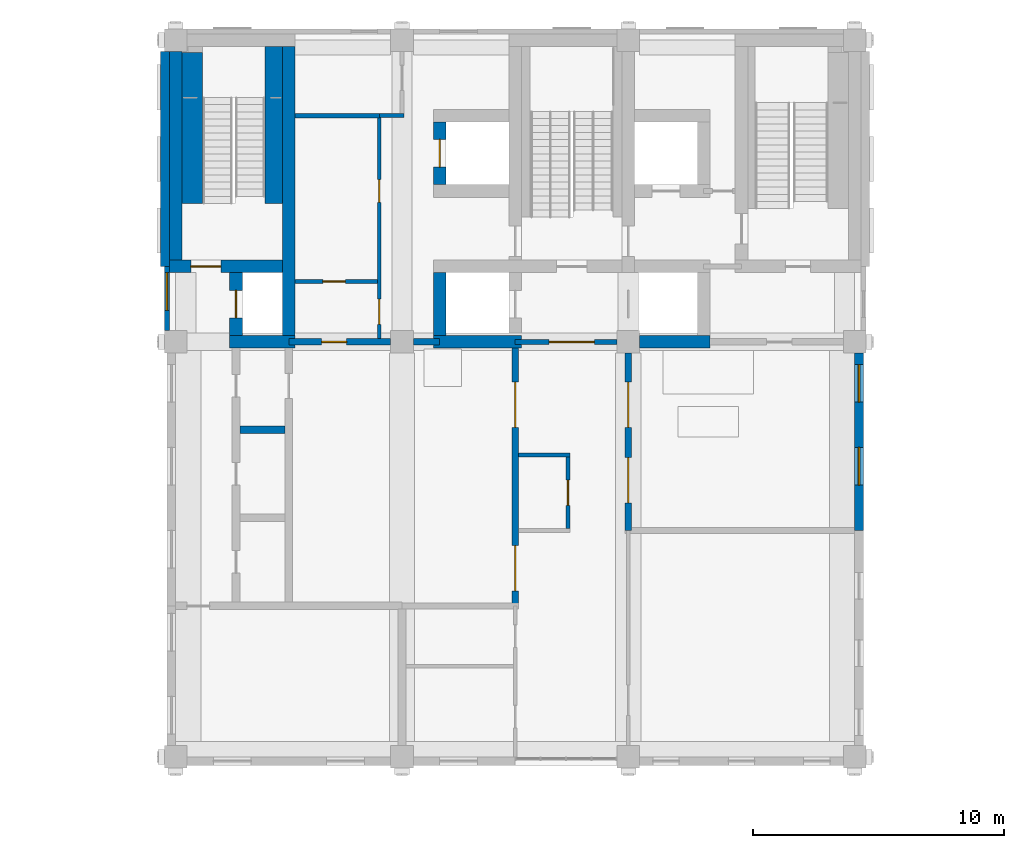
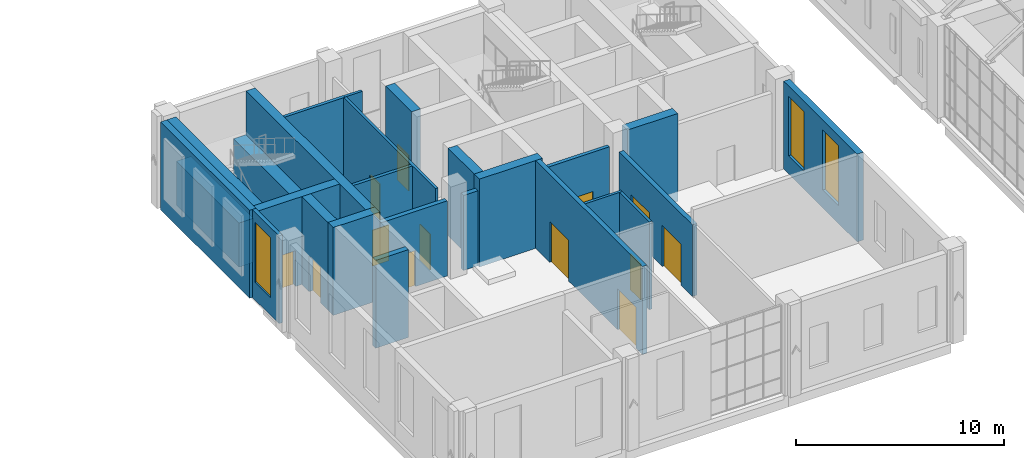
# One storey, part 28 of 39: 26 walls, 13 doors, 3 windows, 16 openings.
"""IFC4 building model written with IfcOpenShell, lengths in metres."""

from ifc_helpers import new_model, si_unit, direction, frame, frame_2d, origin, place, context, subcontext, project, spatial, rectangle, extrude, material, layer, layer_set, type_object, element, fill, save


model = new_model("IFC4")

# Units and contexts
model_context = context("Model", 3, precision=1e-05, world=origin(), true_north=direction((0.0, 1.0)))
body_context = subcontext(model_context, "Body", "Model", "MODEL_VIEW")
ifc_project = project(units=[si_unit("LENGTHUNIT", "METRE"), si_unit("AREAUNIT", "SQUARE_METRE"), si_unit("VOLUMEUNIT", "CUBIC_METRE"), si_unit("PLANEANGLEUNIT", "RADIAN"), si_unit("MASSUNIT", "GRAM", prefix="KILO")], contexts=[model_context])

# Site, building, storey
site_placement = place(None, origin())
site = spatial("IfcSite", under=ifc_project, at=site_placement, CompositionType="ELEMENT")
building_placement = place(site_placement, origin())
building = spatial("IfcBuilding", under=site, at=building_placement, Name="Aurelan Courthouse", CompositionType="ELEMENT")
storey_placement = place(building_placement, frame((0.0, 0.0, 28.199951171875)))
storey = spatial("IfcBuildingStorey", under=building, at=storey_placement, Name="L05", CompositionType="ELEMENT", Elevation=28.199951171875)

# Wall, opening, door
ifc_material_1 = material(Name="Gypsum board on metal studs")
ifc_layer_1 = layer(ifc_material_1, 0.175048828125)
ifc_layer_set_1 = layer_set([ifc_layer_1], Name="Gypsum board on metal studs")
wall_type_1 = type_object("IfcWallType", Name="Chambers acoustic partition 175 NOT RATED", PredefinedType="PARTITIONING", material=ifc_layer_set_1)
wall_1_placement = place(storey_placement, frame((40.75, 56.39990234375, 0.0), z_axis=(0.0, 0.0, 1.0), x_axis=(1.0, 0.0, 0.0)))
wall_1 = element("IfcWall", 1, at=wall_1_placement, inside=storey, type_object=wall_type_1, Name="Chambers acoustic partition L05-032", PredefinedType="PARTITIONING", context=body_context, shape_type="SweptSolid", body=[
    extrude(rectangle(XDim=3.27490234375, YDim=0.175048828125, at=frame_2d((1.637451171875, 0.0))), origin(), (0.0, 0.0, 1.0), 5.150146484375),
])
opening_1_placement = place(wall_1_placement, frame((2.0, 0.0, 0.0), z_axis=(0.0, 0.0, 1.0), x_axis=(-1.0, 0.0, 0.0)))
opening_1 = element("IfcOpeningElement", 2, at=opening_1_placement, cuts=wall_1, Name="Opening D-L05-028", PredefinedType="OPENING", context=body_context, shape_type="SweptSolid", body=[
    extrude(rectangle(XDim=0.89990234375, YDim=2.10009765625, at=frame_2d((0.449951171875, 1.050048828125))), frame((0.0, 0.097412109375, 0.0), z_axis=(0.0, -1.0, 0.0), x_axis=(1.0, 0.0, 0.0)), (0.0, 0.0, 1.0), 0.195068359375),
])
ifc_material_2 = material(Name="Timber", Category="wood")
door_type_1 = type_object("IfcDoorType", Name="Single door 900 x 2100 NOT RATED", OperationType="SINGLE_SWING_LEFT", PredefinedType="DOOR", material=ifc_material_2)
door_1_placement = place(opening_1_placement, origin())
door_1 = element("IfcDoor", 3, at=door_1_placement, inside=storey, type_object=door_type_1, Name="Single door D-L05-028", OperationType="SINGLE_SWING_RIGHT", OverallHeight=2.10009765625, OverallWidth=0.89990234375, PredefinedType="DOOR", context=body_context, shape_type="SweptSolid", body=[
    extrude(rectangle(XDim=0.89990234375, YDim=2.10009765625, at=frame_2d((0.449951171875, 1.050048828125))), frame((0.0, 0.02490234375, 0.0), z_axis=(0.0, -1.0, 0.0), x_axis=(1.0, 0.0, 0.0)), (0.0, 0.0, 1.0), 0.050048828125),
])
fill(opening_1, door_1)

# Walls
wall_2_placement = place(storey_placement, frame((40.75, 63.0, 0.0), z_axis=(0.0, 0.0, 1.0), x_axis=(1.0, 0.0, 0.0)))
element("IfcWall", 4, at=wall_2_placement, inside=storey, type_object=wall_type_1, Name="Chambers acoustic partition L05-037", PredefinedType="PARTITIONING", context=body_context, shape_type="SweptSolid", body=[
    extrude(rectangle(XDim=3.35009765625, YDim=0.175048828125, at=frame_2d((1.675048828125, 0.0))), origin(), (0.0, 0.0, 1.0), 5.150146484375),
])
ifc_layer_2 = layer(ifc_material_1, 0.14990234375)
ifc_layer_set_2 = layer_set([ifc_layer_2], Name="Gypsum board on metal studs")
wall_type_2 = type_object("IfcWallType", Name="Corridor partition 150 EI 60", PredefinedType="PARTITIONING", material=ifc_layer_set_2)
wall_3_placement = place(storey_placement, frame((49.625, 49.5, 0.0), z_axis=(0.0, 0.0, 1.0), x_axis=(1.0, 0.0, 0.0)))
element("IfcWall", 5, at=wall_3_placement, inside=storey, type_object=wall_type_2, Name="Corridor partition L05-020", PredefinedType="PARTITIONING", context=body_context, shape_type="SweptSolid", body=[
    extrude(rectangle(XDim=2.050048828125, YDim=0.14990234375, at=frame_2d((1.02490234375, 0.0))), origin(), (0.0, 0.0, 1.0), 5.150146484375),
])
wall_4_placement = place(storey_placement, frame((44.10009765625, 63.0, 0.0), z_axis=(0.0, 0.0, 1.0), x_axis=(1.0, 0.0, 0.0)))
element("IfcWall", 6, at=wall_4_placement, inside=storey, type_object=wall_type_2, Name="Corridor partition L05-038", PredefinedType="PARTITIONING", context=body_context, shape_type="SweptSolid", body=[
    extrude(rectangle(XDim=0.974853515625, YDim=0.14990234375, at=frame_2d((0.4873046875, 0.0))), origin(), (0.0, 0.0, 1.0), 5.150146484375),
])

# Wall, openings, doors
wall_5_placement = place(storey_placement, frame((44.10009765625, 54.125, 0.0), z_axis=(0.0, 0.0, 1.0), x_axis=(0.0, 1.0, 0.0)))
wall_5 = element("IfcWall", 7, at=wall_5_placement, inside=storey, type_object=wall_type_2, Name="Corridor partition L05-052", PredefinedType="PARTITIONING", context=body_context, shape_type="SweptSolid", body=[
    extrude(rectangle(XDim=8.800048828125, YDim=0.14990234375, at=frame_2d((4.39990234375, 0.0))), origin(), (0.0, 0.0, 1.0), 5.150146484375),
])
opening_2_placement = place(wall_5_placement, frame((0.574951171875, 0.0, 0.0)))
opening_2 = element("IfcOpeningElement", 8, at=opening_2_placement, cuts=wall_5, Name="Opening D-L05-026", PredefinedType="OPENING", context=body_context, shape_type="SweptSolid", body=[
    extrude(rectangle(XDim=1.0, YDim=2.10009765625, at=frame_2d((0.5, 1.050048828125))), frame((0.0, 0.0849609375, 0.0), z_axis=(0.0, -1.0, 0.0), x_axis=(1.0, 0.0, 0.0)), (0.0, 0.0, 1.0), 0.169921875),
])
opening_3_placement = place(wall_5_placement, frame((5.425048828125, 0.0, 0.0)))
opening_3 = element("IfcOpeningElement", 9, at=opening_3_placement, cuts=wall_5, Name="Opening D-L05-027", PredefinedType="OPENING", context=body_context, shape_type="SweptSolid", body=[
    extrude(rectangle(XDim=0.89990234375, YDim=2.10009765625, at=frame_2d((0.449951171875, 1.050048828125))), frame((0.0, 0.0849609375, 0.0), z_axis=(0.0, -1.0, 0.0), x_axis=(1.0, 0.0, 0.0)), (0.0, 0.0, 1.0), 0.169921875),
])
ifc_material_3 = material(Name="Steel", Category="steel")
door_type_2 = type_object("IfcDoorType", Name="Single door 1000 x 2100 FD60", OperationType="SINGLE_SWING_LEFT", PredefinedType="DOOR", material=ifc_material_3)
door_2_placement = place(opening_2_placement, origin())
door_2 = element("IfcDoor", 10, at=door_2_placement, inside=storey, type_object=door_type_2, Name="Single door D-L05-026", OperationType="SINGLE_SWING_LEFT", OverallHeight=2.10009765625, OverallWidth=1.0, PredefinedType="DOOR", context=body_context, shape_type="SweptSolid", body=[
    extrude(rectangle(XDim=1.0, YDim=2.10009765625, at=frame_2d((0.5, 1.050048828125))), frame((0.0, 0.02490234375, 0.0), z_axis=(0.0, -1.0, 0.0), x_axis=(1.0, 0.0, 0.0)), (0.0, 0.0, 1.0), 0.050048828125),
])
fill(opening_2, door_2)
door_type_3 = type_object("IfcDoorType", Name="Single door 900 x 2100 FD60", OperationType="SINGLE_SWING_LEFT", PredefinedType="DOOR", material=ifc_material_3)
door_3_placement = place(opening_3_placement, origin())
door_3 = element("IfcDoor", 11, at=door_3_placement, inside=storey, type_object=door_type_3, Name="Single door D-L05-027", OperationType="SINGLE_SWING_RIGHT", OverallHeight=2.10009765625, OverallWidth=0.89990234375, PredefinedType="DOOR", context=body_context, shape_type="SweptSolid", body=[
    extrude(rectangle(XDim=0.89990234375, YDim=2.10009765625, at=frame_2d((0.449951171875, 1.050048828125))), frame((0.0, 0.02490234375, 0.0), z_axis=(0.0, -1.0, 0.0), x_axis=(1.0, 0.0, 0.0)), (0.0, 0.0, 1.0), 0.050048828125),
])
fill(opening_3, door_3)

# Wall, opening, door
wall_6_placement = place(storey_placement, frame((51.60009765625, 46.574951171875, 0.0), z_axis=(0.0, 0.0, 1.0), x_axis=(0.0, 1.0, 0.0)))
wall_6 = element("IfcWall", 12, at=wall_6_placement, inside=storey, type_object=wall_type_2, Name="Corridor partition L05-057", PredefinedType="PARTITIONING", context=body_context, shape_type="SweptSolid", body=[
    extrude(rectangle(XDim=2.85009765625, YDim=0.14990234375, at=frame_2d((1.425048828125, 0.0))), origin(), (0.0, 0.0, 1.0), 5.150146484375),
])
opening_4_placement = place(wall_6_placement, frame((0.925048828125, 0.0, 0.0)))
opening_4 = element("IfcOpeningElement", 13, at=opening_4_placement, cuts=wall_6, Name="Opening D-L05-013", PredefinedType="OPENING", context=body_context, shape_type="SweptSolid", body=[
    extrude(rectangle(XDim=1.0, YDim=2.10009765625, at=frame_2d((0.5, 1.050048828125))), frame((0.0, 0.0849609375, 0.0), z_axis=(0.0, -1.0, 0.0), x_axis=(1.0, 0.0, 0.0)), (0.0, 0.0, 1.0), 0.169921875),
])
door_4_placement = place(opening_4_placement, origin())
door_4 = element("IfcDoor", 14, at=door_4_placement, inside=storey, type_object=door_type_2, Name="Single door D-L05-013", OperationType="SINGLE_SWING_RIGHT", OverallHeight=2.10009765625, OverallWidth=1.0, PredefinedType="DOOR", context=body_context, shape_type="SweptSolid", body=[
    extrude(rectangle(XDim=1.0, YDim=2.10009765625, at=frame_2d((0.5, 1.050048828125))), frame((0.0, 0.02490234375, 0.0), z_axis=(0.0, -1.0, 0.0), x_axis=(1.0, 0.0, 0.0)), (0.0, 0.0, 1.0), 0.050048828125),
])
fill(opening_4, door_4)

# Wall, opening, window
ifc_material_4 = material(Name="Limestone cladding", Category="masonry")
ifc_layer_3 = layer(ifc_material_4, 0.054931640625, Name="Facing")
ifc_material_5 = material(Name="Ventilated cavity")
ifc_layer_4 = layer(ifc_material_5, 0.02490234375, ventilated=True, Name="Ventilated cavity")
ifc_material_6 = material(Name="Mineral wool insulation")
ifc_layer_5 = layer(ifc_material_6, 0.030029296875, Name="Insulation")
ifc_material_7 = material(Name="Concrete C30", Category="concrete")
ifc_layer_6 = layer(ifc_material_7, 0.090087890625, Name="Structure")
ifc_layer_set_3 = layer_set([ifc_layer_3, ifc_layer_4, ifc_layer_5, ifc_layer_6], Name="Concrete C30")
wall_type_3 = type_object("IfcWallType", Name="Courtroom Block stone-faced wall 200", PredefinedType="SOLIDWALL", material=ifc_layer_set_3)
wall_7_placement = place(storey_placement, frame((35.64990234375, 54.449951171875, 0.0), z_axis=(0.0, 0.0, 1.0), x_axis=(0.0, 1.0, 0.0)))
wall_7 = element("IfcWall", 15, at=wall_7_placement, inside=storey, type_object=wall_type_3, Name="Facade wall FW-V2-L05-013", PredefinedType="SOLIDWALL", context=body_context, shape_type="SweptSolid", body=[
    extrude(rectangle(XDim=2.550048828125, YDim=0.199951171875, at=frame_2d((1.27490234375, 0.0))), origin(), (0.0, 0.0, 1.0), 5.150146484375),
])
opening_5_placement = place(wall_7_placement, frame((0.800048828125, 0.0, 1.050048828125)))
opening_5 = element("IfcOpeningElement", 16, at=opening_5_placement, cuts=wall_7, Name="Opening WN-V2-L05-020", PredefinedType="OPENING", context=body_context, shape_type="SweptSolid", body=[
    extrude(rectangle(XDim=1.5, YDim=3.5, at=frame_2d((0.75, 1.75))), frame((0.0, 0.10986328125, 0.0), z_axis=(0.0, -1.0, 0.0), x_axis=(1.0, 0.0, 0.0)), (0.0, 0.0, 1.0), 0.219970703125),
])
ifc_material_8 = material(Name="Bronze-finished aluminium and glass", Category="aluminium")
window_type = type_object("IfcWindowType", Name="Courtroom Block glazed slot 1500 x 3500, sill 1050", PartitioningType="SINGLE_PANEL", PredefinedType="WINDOW", material=ifc_material_8)
window_1_placement = place(opening_5_placement, origin())
window_1 = element("IfcWindow", 17, at=window_1_placement, inside=storey, type_object=window_type, Name="Glazed slot WN-V2-L05-020", OverallHeight=3.5, OverallWidth=1.5, PartitioningType="SINGLE_PANEL", PredefinedType="WINDOW", context=body_context, shape_type="SweptSolid", body=[
    extrude(rectangle(XDim=1.5, YDim=3.5, at=frame_2d((0.75, 1.75))), frame((0.0, 0.030029296875, 0.0), z_axis=(0.0, -1.0, 0.0), x_axis=(1.0, 0.0, 0.0)), (0.0, 0.0, 1.0), 0.06005859375),
])
fill(opening_5, window_1)

# Wall, openings, windows
ifc_layer_7 = layer(ifc_material_4, 0.10009765625, Name="Facing")
ifc_layer_8 = layer(ifc_material_5, 0.02490234375, ventilated=True, Name="Ventilated cavity")
ifc_layer_9 = layer(ifc_material_6, 0.050048828125, Name="Insulation")
ifc_layer_10 = layer(ifc_material_7, 0.175048828125, Name="Structure")
ifc_layer_set_4 = layer_set([ifc_layer_7, ifc_layer_8, ifc_layer_9, ifc_layer_10], Name="Concrete C30")
wall_type_4 = type_object("IfcWallType", Name="Courtroom Block stone-faced wall 350", PredefinedType="SOLIDWALL", material=ifc_layer_set_4)
wall_8_placement = place(storey_placement, frame((63.175048828125, 46.5, 0.0), z_axis=(0.0, 0.0, 1.0), x_axis=(0.0, 1.0, 0.0)))
wall_8 = element("IfcWall", 18, at=wall_8_placement, inside=storey, type_object=wall_type_4, Name="Facade wall FW-V2-L05-008", PredefinedType="SOLIDWALL", context=body_context, shape_type="SweptSolid", body=[
    extrude(rectangle(XDim=7.050048828125, YDim=0.35009765625, at=frame_2d((3.52490234375, 0.0))), origin(), (0.0, 0.0, 1.0), 5.150146484375),
])
opening_6_placement = place(wall_8_placement, frame((1.800048828125, 0.0, 1.050048828125)))
opening_6 = element("IfcOpeningElement", 19, at=opening_6_placement, cuts=wall_8, Name="Opening WN-V2-L05-012", PredefinedType="OPENING", context=body_context, shape_type="SweptSolid", body=[
    extrude(rectangle(XDim=1.5, YDim=3.5, at=frame_2d((0.75, 1.75))), frame((0.0, 0.18505859375, 0.0), z_axis=(0.0, -1.0, 0.0), x_axis=(1.0, 0.0, 0.0)), (0.0, 0.0, 1.0), 0.3701171875),
])
opening_7_placement = place(wall_8_placement, frame((5.10009765625, 0.0, 1.050048828125)))
opening_7 = element("IfcOpeningElement", 20, at=opening_7_placement, cuts=wall_8, Name="Opening WN-V2-L05-013", PredefinedType="OPENING", context=body_context, shape_type="SweptSolid", body=[
    extrude(rectangle(XDim=1.5, YDim=3.5, at=frame_2d((0.75, 1.75))), frame((0.0, 0.18505859375, 0.0), z_axis=(0.0, -1.0, 0.0), x_axis=(1.0, 0.0, 0.0)), (0.0, 0.0, 1.0), 0.3701171875),
])
window_2_placement = place(opening_6_placement, origin())
window_2 = element("IfcWindow", 21, at=window_2_placement, inside=storey, type_object=window_type, Name="Glazed slot WN-V2-L05-012", OverallHeight=3.5, OverallWidth=1.5, PartitioningType="SINGLE_PANEL", PredefinedType="WINDOW", context=body_context, shape_type="SweptSolid", body=[
    extrude(rectangle(XDim=1.5, YDim=3.5, at=frame_2d((0.75, 1.75))), frame((0.0, 0.030029296875, 0.0), z_axis=(0.0, -1.0, 0.0), x_axis=(1.0, 0.0, 0.0)), (0.0, 0.0, 1.0), 0.06005859375),
])
fill(opening_6, window_2)
window_3_placement = place(opening_7_placement, origin())
window_3 = element("IfcWindow", 22, at=window_3_placement, inside=storey, type_object=window_type, Name="Glazed slot WN-V2-L05-013", OverallHeight=3.5, OverallWidth=1.5, PartitioningType="SINGLE_PANEL", PredefinedType="WINDOW", context=body_context, shape_type="SweptSolid", body=[
    extrude(rectangle(XDim=1.5, YDim=3.5, at=frame_2d((0.75, 1.75))), frame((0.0, 0.030029296875, 0.0), z_axis=(0.0, -1.0, 0.0), x_axis=(1.0, 0.0, 0.0)), (0.0, 0.0, 1.0), 0.06005859375),
])
fill(opening_7, window_3)

# Wall
wall_9_placement = place(storey_placement, frame((35.574951171875, 57.0, 0.0), z_axis=(0.0, 0.0, 1.0), x_axis=(0.0, 1.0, 0.0)))
element("IfcWall", 23, at=wall_9_placement, inside=storey, type_object=wall_type_4, Name="Facade wall FW-V2-L05-014", PredefinedType="SOLIDWALL", context=body_context, shape_type="SweptSolid", body=[
    extrude(rectangle(XDim=8.550048828125, YDim=0.35009765625, at=frame_2d((4.27490234375, 0.0))), origin(), (0.0, 0.0, 1.0), 5.150146484375),
])

# Wall, opening, door
ifc_material_9 = material(Name="Masonry block", Category="masonry")
ifc_layer_11 = layer(ifc_material_9, 0.25)
ifc_layer_set_5 = layer_set([ifc_layer_11], Name="Masonry block")
wall_type_5 = type_object("IfcWallType", Name="Courtroom wall 250 EI 60", PredefinedType="PARTITIONING", material=ifc_layer_set_5)
wall_10_placement = place(storey_placement, frame((40.5, 54.0, 0.0), z_axis=(0.0, 0.0, 1.0), x_axis=(1.0, 0.0, 0.0)))
wall_10 = element("IfcWall", 24, at=wall_10_placement, inside=storey, type_object=wall_type_5, Name="Courtroom wall L05-022", PredefinedType="PARTITIONING", context=body_context, shape_type="SweptSolid", body=[
    extrude(rectangle(XDim=4.050048828125, YDim=0.25, at=frame_2d((2.02490234375, 0.0))), origin(), (0.0, 0.0, 1.0), 4.400146484375),
])
opening_8_placement = place(wall_10_placement, frame((2.300048828125, 0.0, 0.0), z_axis=(0.0, 0.0, 1.0), x_axis=(-1.0, 0.0, 0.0)))
opening_8 = element("IfcOpeningElement", 25, at=opening_8_placement, cuts=wall_10, Name="Opening D-L05-030", PredefinedType="OPENING", context=body_context, shape_type="SweptSolid", body=[
    extrude(rectangle(XDim=1.0, YDim=2.10009765625, at=frame_2d((0.5, 1.050048828125))), frame((0.0, 0.135009765625, 0.0), z_axis=(0.0, -1.0, 0.0), x_axis=(1.0, 0.0, 0.0)), (0.0, 0.0, 1.0), 0.27001953125),
])
door_type_4 = type_object("IfcDoorType", Name="Single door 1000 x 2100 FD30", OperationType="SINGLE_SWING_LEFT", PredefinedType="DOOR", material=ifc_material_3)
door_5_placement = place(opening_8_placement, origin())
door_5 = element("IfcDoor", 26, at=door_5_placement, inside=storey, type_object=door_type_4, Name="Single door D-L05-030", OperationType="SINGLE_SWING_RIGHT", OverallHeight=2.10009765625, OverallWidth=1.0, PredefinedType="DOOR", context=body_context, shape_type="SweptSolid", body=[
    extrude(rectangle(XDim=1.0, YDim=2.10009765625, at=frame_2d((0.5, 1.050048828125))), frame((0.0, 0.02490234375, 0.0), z_axis=(0.0, -1.0, 0.0), x_axis=(1.0, 0.0, 0.0)), (0.0, 0.0, 1.0), 0.050048828125),
])
fill(opening_8, door_5)

# Wall
wall_11_placement = place(storey_placement, frame((45.449951171875, 54.0, 0.0), z_axis=(0.0, 0.0, 1.0), x_axis=(1.0, 0.0, 0.0)))
element("IfcWall", 27, at=wall_11_placement, inside=storey, type_object=wall_type_5, Name="Courtroom wall L05-023", PredefinedType="PARTITIONING", context=body_context, shape_type="SweptSolid", body=[
    extrude(rectangle(XDim=1.050048828125, YDim=0.25, at=frame_2d((0.52490234375, 0.0))), origin(), (0.0, 0.0, 1.0), 4.400146484375),
])

# Wall, openings, doors
wall_12_placement = place(storey_placement, frame((49.5, 43.5, 0.0), z_axis=(0.0, 0.0, 1.0), x_axis=(0.0, 1.0, 0.0)))
wall_12 = element("IfcWall", 28, at=wall_12_placement, inside=storey, type_object=wall_type_5, Name="Courtroom wall L05-056", PredefinedType="PARTITIONING", context=body_context, shape_type="SweptSolid", body=[
    extrude(rectangle(XDim=10.5, YDim=0.25, at=frame_2d((5.25, 0.0))), origin(), (0.0, 0.0, 1.0), 5.150146484375),
])
opening_9_placement = place(wall_12_placement, frame((0.60009765625, 0.0, 0.0)))
opening_9 = element("IfcOpeningElement", 29, at=opening_9_placement, cuts=wall_12, Name="Opening D-L05-014", PredefinedType="OPENING", context=body_context, shape_type="SweptSolid", body=[
    extrude(rectangle(XDim=1.800048828125, YDim=2.39990234375, at=frame_2d((0.89990234375, 1.199951171875))), frame((0.0, 0.135009765625, 0.0), z_axis=(0.0, -1.0, 0.0), x_axis=(1.0, 0.0, 0.0)), (0.0, 0.0, 1.0), 0.27001953125),
])
opening_10_placement = place(wall_12_placement, frame((7.10009765625, 0.0, 0.0)))
opening_10 = element("IfcOpeningElement", 30, at=opening_10_placement, cuts=wall_12, Name="Opening D-L05-015", PredefinedType="OPENING", context=body_context, shape_type="SweptSolid", body=[
    extrude(rectangle(XDim=1.800048828125, YDim=2.39990234375, at=frame_2d((0.89990234375, 1.199951171875))), frame((0.0, 0.135009765625, 0.0), z_axis=(0.0, -1.0, 0.0), x_axis=(1.0, 0.0, 0.0)), (0.0, 0.0, 1.0), 0.27001953125),
])
door_type_5 = type_object("IfcDoorType", Name="Double door 1800 x 2400 FD30", OperationType="DOUBLE_DOOR_SINGLE_SWING", PredefinedType="DOOR", material=ifc_material_3)
door_6_placement = place(opening_9_placement, origin())
door_6 = element("IfcDoor", 31, at=door_6_placement, inside=storey, type_object=door_type_5, Name="Double door D-L05-014", OperationType="DOUBLE_DOOR_SINGLE_SWING", OverallHeight=2.39990234375, OverallWidth=1.800048828125, PredefinedType="DOOR", context=body_context, shape_type="SweptSolid", body=[
    extrude(rectangle(XDim=1.800048828125, YDim=2.39990234375, at=frame_2d((0.89990234375, 1.199951171875))), frame((0.0, 0.02490234375, 0.0), z_axis=(0.0, -1.0, 0.0), x_axis=(1.0, 0.0, 0.0)), (0.0, 0.0, 1.0), 0.050048828125),
])
fill(opening_9, door_6)
door_7_placement = place(opening_10_placement, origin())
door_7 = element("IfcDoor", 32, at=door_7_placement, inside=storey, type_object=door_type_5, Name="Double door D-L05-015", OperationType="DOUBLE_DOOR_SINGLE_SWING", OverallHeight=2.39990234375, OverallWidth=1.800048828125, PredefinedType="DOOR", context=body_context, shape_type="SweptSolid", body=[
    extrude(rectangle(XDim=1.800048828125, YDim=2.39990234375, at=frame_2d((0.89990234375, 1.199951171875))), frame((0.0, 0.02490234375, 0.0), z_axis=(0.0, -1.0, 0.0), x_axis=(1.0, 0.0, 0.0)), (0.0, 0.0, 1.0), 0.050048828125),
])
fill(opening_10, door_7)

wall_13_placement = place(storey_placement, frame((54.0, 46.5, 0.0), z_axis=(0.0, 0.0, 1.0), x_axis=(0.0, 1.0, 0.0)))
wall_13 = element("IfcWall", 33, at=wall_13_placement, inside=storey, type_object=wall_type_5, Name="Courtroom wall L05-059", PredefinedType="PARTITIONING", context=body_context, shape_type="SweptSolid", body=[
    extrude(rectangle(XDim=7.050048828125, YDim=0.25, at=frame_2d((3.52490234375, 0.0))), origin(), (0.0, 0.0, 1.0), 4.199951171875),
])
opening_11_placement = place(wall_13_placement, frame((2.900146484375, 0.0, 0.0), z_axis=(0.0, 0.0, 1.0), x_axis=(-1.0, 0.0, 0.0)))
opening_11 = element("IfcOpeningElement", 34, at=opening_11_placement, cuts=wall_13, Name="Opening D-L05-024", PredefinedType="OPENING", context=body_context, shape_type="SweptSolid", body=[
    extrude(rectangle(XDim=1.800048828125, YDim=2.39990234375, at=frame_2d((0.89990234375, 1.199951171875))), frame((0.0, 0.135009765625, 0.0), z_axis=(0.0, -1.0, 0.0), x_axis=(1.0, 0.0, 0.0)), (0.0, 0.0, 1.0), 0.27001953125),
])
opening_12_placement = place(wall_13_placement, frame((5.900146484375, 0.0, 0.0), z_axis=(0.0, 0.0, 1.0), x_axis=(-1.0, 0.0, 0.0)))
opening_12 = element("IfcOpeningElement", 35, at=opening_12_placement, cuts=wall_13, Name="Opening D-L05-025", PredefinedType="OPENING", context=body_context, shape_type="SweptSolid", body=[
    extrude(rectangle(XDim=1.800048828125, YDim=2.39990234375, at=frame_2d((0.89990234375, 1.199951171875))), frame((0.0, 0.135009765625, 0.0), z_axis=(0.0, -1.0, 0.0), x_axis=(1.0, 0.0, 0.0)), (0.0, 0.0, 1.0), 0.27001953125),
])
door_8_placement = place(opening_11_placement, origin())
door_8 = element("IfcDoor", 36, at=door_8_placement, inside=storey, type_object=door_type_5, Name="Double door D-L05-024", OperationType="DOUBLE_DOOR_SINGLE_SWING", OverallHeight=2.39990234375, OverallWidth=1.800048828125, PredefinedType="DOOR", context=body_context, shape_type="SweptSolid", body=[
    extrude(rectangle(XDim=1.800048828125, YDim=2.39990234375, at=frame_2d((0.89990234375, 1.199951171875))), frame((0.0, 0.02490234375, 0.0), z_axis=(0.0, -1.0, 0.0), x_axis=(1.0, 0.0, 0.0)), (0.0, 0.0, 1.0), 0.050048828125),
])
fill(opening_11, door_8)
door_9_placement = place(opening_12_placement, origin())
door_9 = element("IfcDoor", 37, at=door_9_placement, inside=storey, type_object=door_type_5, Name="Double door D-L05-025", OperationType="DOUBLE_DOOR_SINGLE_SWING", OverallHeight=2.39990234375, OverallWidth=1.800048828125, PredefinedType="DOOR", context=body_context, shape_type="SweptSolid", body=[
    extrude(rectangle(XDim=1.800048828125, YDim=2.39990234375, at=frame_2d((0.89990234375, 1.199951171875))), frame((0.0, 0.02490234375, 0.0), z_axis=(0.0, -1.0, 0.0), x_axis=(1.0, 0.0, 0.0)), (0.0, 0.0, 1.0), 0.050048828125),
])
fill(opening_12, door_9)

# Wall
ifc_layer_12 = layer(ifc_material_7, 0.300048828125)
ifc_layer_set_6 = layer_set([ifc_layer_12], Name="Concrete C30")
wall_type_6 = type_object("IfcWallType", Name="Custody wall 300 EI 120", PredefinedType="PARTITIONING", material=ifc_layer_set_6)
wall_14_placement = place(storey_placement, frame((38.550048828125, 50.5, 0.0), z_axis=(0.0, 0.0, 1.0), x_axis=(1.0, 0.0, 0.0)))
element("IfcWall", 38, at=wall_14_placement, inside=storey, type_object=wall_type_6, Name="Custody wall L05-021", PredefinedType="PARTITIONING", context=body_context, shape_type="SweptSolid", body=[
    extrude(rectangle(XDim=1.800048828125, YDim=0.300048828125, at=frame_2d((0.89990234375, 0.0))), origin(), (0.0, 0.0, 1.0), 5.150146484375),
])

# Wall, opening, door
ifc_layer_13 = layer(ifc_material_9, 0.199951171875)
ifc_layer_set_7 = layer_set([ifc_layer_13], Name="Masonry block")
wall_type_7 = type_object("IfcWallType", Name="Lift lobby wall 200 EI 60", PredefinedType="PARTITIONING", material=ifc_layer_set_7)
wall_15_placement = place(storey_placement, frame((49.5, 54.0, 0.0), z_axis=(0.0, 0.0, 1.0), x_axis=(1.0, 0.0, 0.0)))
wall_15 = element("IfcWall", 39, at=wall_15_placement, inside=storey, type_object=wall_type_7, Name="Lift lobby wall L05-024", PredefinedType="PARTITIONING", context=body_context, shape_type="SweptSolid", body=[
    extrude(rectangle(XDim=4.050048828125, YDim=0.199951171875, at=frame_2d((2.02490234375, 0.0))), origin(), (0.0, 0.0, 1.0), 4.400146484375),
])
opening_13_placement = place(wall_15_placement, frame((1.35009765625, 0.0, 0.0)))
opening_13 = element("IfcOpeningElement", 40, at=opening_13_placement, cuts=wall_15, Name="Opening D-L05-012", PredefinedType="OPENING", context=body_context, shape_type="SweptSolid", body=[
    extrude(rectangle(XDim=1.800048828125, YDim=2.10009765625, at=frame_2d((0.89990234375, 1.050048828125))), frame((0.0, 0.10986328125, 0.0), z_axis=(0.0, -1.0, 0.0), x_axis=(1.0, 0.0, 0.0)), (0.0, 0.0, 1.0), 0.219970703125),
])
door_type_6 = type_object("IfcDoorType", Name="Double door 1800 x 2100 FD60", OperationType="DOUBLE_DOOR_SINGLE_SWING", PredefinedType="DOOR", material=ifc_material_3)
door_10_placement = place(opening_13_placement, origin())
door_10 = element("IfcDoor", 41, at=door_10_placement, inside=storey, type_object=door_type_6, Name="Double door D-L05-012", OperationType="DOUBLE_DOOR_SINGLE_SWING", OverallHeight=2.10009765625, OverallWidth=1.800048828125, PredefinedType="DOOR", context=body_context, shape_type="SweptSolid", body=[
    extrude(rectangle(XDim=1.800048828125, YDim=2.10009765625, at=frame_2d((0.89990234375, 1.050048828125))), frame((0.0, 0.02490234375, 0.0), z_axis=(0.0, -1.0, 0.0), x_axis=(1.0, 0.0, 0.0)), (0.0, 0.0, 1.0), 0.050048828125),
])
fill(opening_13, door_10)

# Walls
ifc_material_10 = material(Name="Concrete C50", Category="concrete")
ifc_layer_14 = layer(ifc_material_10, 0.5)
ifc_layer_set_8 = layer_set([ifc_layer_14], Name="Concrete C50")
wall_type_8 = type_object("IfcWallType", Name="RC shear wall 500", PredefinedType="SHEAR", material=ifc_layer_set_8)
wall_16_placement = place(storey_placement, frame((38.14990234375, 54.0, 0.0), z_axis=(0.0, 0.0, 1.0), x_axis=(1.0, 0.0, 0.0)))
element("IfcWall", 42, at=wall_16_placement, inside=storey, type_object=wall_type_8, Name="Core wall SW-L05-016", PredefinedType="SHEAR", context=body_context, shape_type="SweptSolid", body=[
    extrude(rectangle(XDim=2.60009765625, YDim=0.5, at=frame_2d((1.300048828125, 0.0))), origin(), (0.0, 0.0, 1.0), 5.150146484375),
])
wall_17_placement = place(storey_placement, frame((46.25, 54.0, 0.0), z_axis=(0.0, 0.0, 1.0), x_axis=(1.0, 0.0, 0.0)))
element("IfcWall", 43, at=wall_17_placement, inside=storey, type_object=wall_type_8, Name="Core wall SW-L05-017", PredefinedType="SHEAR", context=body_context, shape_type="SweptSolid", body=[
    extrude(rectangle(XDim=3.5, YDim=0.5, at=frame_2d((1.75, 0.0))), origin(), (0.0, 0.0, 1.0), 5.150146484375),
])
wall_18_placement = place(storey_placement, frame((54.449951171875, 54.0, 0.0), z_axis=(0.0, 0.0, 1.0), x_axis=(1.0, 0.0, 0.0)))
element("IfcWall", 44, at=wall_18_placement, inside=storey, type_object=wall_type_8, Name="Core wall SW-L05-018", PredefinedType="SHEAR", context=body_context, shape_type="SweptSolid", body=[
    extrude(rectangle(XDim=2.800048828125, YDim=0.5, at=frame_2d((1.39990234375, 0.0))), origin(), (0.0, 0.0, 1.0), 5.150146484375),
])

# Wall, opening, door
wall_19_placement = place(storey_placement, frame((38.39990234375, 54.25, 0.0), z_axis=(0.0, 0.0, 1.0), x_axis=(0.0, 1.0, 0.0)))
wall_19 = element("IfcWall", 45, at=wall_19_placement, inside=storey, type_object=wall_type_8, Name="Core wall SW-L05-019", PredefinedType="SHEAR", context=body_context, shape_type="SweptSolid", body=[
    extrude(rectangle(XDim=2.5, YDim=0.5, at=frame_2d((1.25, 0.0))), origin(), (0.0, 0.0, 1.0), 5.150146484375),
])
opening_14_placement = place(wall_19_placement, frame((0.699951171875, 0.0, 0.0)))
opening_14 = element("IfcOpeningElement", 46, at=opening_14_placement, cuts=wall_19, Name="Opening LD-V2-C1-L05", PredefinedType="OPENING", context=body_context, shape_type="SweptSolid", body=[
    extrude(rectangle(XDim=1.10009765625, YDim=2.10009765625, at=frame_2d((0.550048828125, 1.050048828125))), frame((0.0, 0.260009765625, 0.0), z_axis=(0.0, -1.0, 0.0), x_axis=(1.0, 0.0, 0.0)), (0.0, 0.0, 1.0), 0.52001953125),
])
door_type_7 = type_object("IfcDoorType", Name="Lift landing door 1100 x 2100 FD90", OperationType="SLIDING_TO_LEFT", PredefinedType="DOOR", material=ifc_material_3)
door_11_placement = place(opening_14_placement, origin())
door_11 = element("IfcDoor", 47, at=door_11_placement, inside=storey, type_object=door_type_7, Name="Lift landing door LD-V2-C1-L05", OperationType="SLIDING_TO_LEFT", OverallHeight=2.10009765625, OverallWidth=1.10009765625, PredefinedType="DOOR", context=body_context, shape_type="SweptSolid", body=[
    extrude(rectangle(XDim=1.10009765625, YDim=2.10009765625, at=frame_2d((0.550048828125, 1.050048828125))), frame((0.0, 0.02490234375, 0.0), z_axis=(0.0, -1.0, 0.0), x_axis=(1.0, 0.0, 0.0)), (0.0, 0.0, 1.0), 0.050048828125),
])
fill(opening_14, door_11)

# Walls
wall_20_placement = place(storey_placement, frame((40.5, 54.25, 0.0), z_axis=(0.0, 0.0, 1.0), x_axis=(0.0, 1.0, 0.0)))
element("IfcWall", 48, at=wall_20_placement, inside=storey, type_object=wall_type_8, Name="Core wall SW-L05-020", PredefinedType="SHEAR", context=body_context, shape_type="SweptSolid", body=[
    extrude(rectangle(XDim=11.5, YDim=0.5, at=frame_2d((5.75, 0.0))), origin(), (0.0, 0.0, 1.0), 5.150146484375),
])
wall_21_placement = place(storey_placement, frame((46.5, 54.25, 0.0), z_axis=(0.0, 0.0, 1.0), x_axis=(0.0, 1.0, 0.0)))
element("IfcWall", 49, at=wall_21_placement, inside=storey, type_object=wall_type_8, Name="Core wall SW-L05-021", PredefinedType="SHEAR", context=body_context, shape_type="SweptSolid", body=[
    extrude(rectangle(XDim=2.5, YDim=0.5, at=frame_2d((1.25, 0.0))), origin(), (0.0, 0.0, 1.0), 5.150146484375),
])

# Wall, opening, door
wall_22_placement = place(storey_placement, frame((35.75, 57.0, 0.0), z_axis=(0.0, 0.0, 1.0), x_axis=(1.0, 0.0, 0.0)))
wall_22 = element("IfcWall", 50, at=wall_22_placement, inside=storey, type_object=wall_type_8, Name="Core wall SW-L05-025", PredefinedType="SHEAR", context=body_context, shape_type="SweptSolid", body=[
    extrude(rectangle(XDim=4.5, YDim=0.5, at=frame_2d((2.25, 0.0))), origin(), (0.0, 0.0, 1.0), 5.150146484375),
])
opening_15_placement = place(wall_22_placement, frame((0.85009765625, 0.0, 0.0)))
opening_15 = element("IfcOpeningElement", 51, at=opening_15_placement, cuts=wall_22, Name="Opening D-L05-002", PredefinedType="OPENING", context=body_context, shape_type="SweptSolid", body=[
    extrude(rectangle(XDim=1.199951171875, YDim=2.10009765625, at=frame_2d((0.60009765625, 1.050048828125))), frame((0.0, 0.260009765625, 0.0), z_axis=(0.0, -1.0, 0.0), x_axis=(1.0, 0.0, 0.0)), (0.0, 0.0, 1.0), 0.52001953125),
])
door_type_8 = type_object("IfcDoorType", Name="Single door 1200 x 2100 FD90", OperationType="SINGLE_SWING_LEFT", PredefinedType="DOOR", material=ifc_material_3)
door_12_placement = place(opening_15_placement, origin())
door_12 = element("IfcDoor", 52, at=door_12_placement, inside=storey, type_object=door_type_8, Name="Single door D-L05-002", OperationType="SINGLE_SWING_LEFT", OverallHeight=2.10009765625, OverallWidth=1.199951171875, PredefinedType="DOOR", context=body_context, shape_type="SweptSolid", body=[
    extrude(rectangle(XDim=1.199951171875, YDim=2.10009765625, at=frame_2d((0.60009765625, 1.050048828125))), frame((0.0, 0.02490234375, 0.0), z_axis=(0.0, -1.0, 0.0), x_axis=(1.0, 0.0, 0.0)), (0.0, 0.0, 1.0), 0.050048828125),
])
fill(opening_15, door_12)

# Wall
wall_23_placement = place(storey_placement, frame((36.0, 57.25, 0.0), z_axis=(0.0, 0.0, 1.0), x_axis=(0.0, 1.0, 0.0)))
element("IfcWall", 53, at=wall_23_placement, inside=storey, type_object=wall_type_8, Name="Core wall SW-L05-030", PredefinedType="SHEAR", context=body_context, shape_type="SweptSolid", body=[
    extrude(rectangle(XDim=8.300048828125, YDim=0.5, at=frame_2d((4.14990234375, 0.0))), origin(), (0.0, 0.0, 1.0), 5.150146484375),
])

# Wall, opening, door
wall_24_placement = place(storey_placement, frame((46.5, 60.25, 0.0), z_axis=(0.0, 0.0, 1.0), x_axis=(0.0, 1.0, 0.0)))
wall_24 = element("IfcWall", 54, at=wall_24_placement, inside=storey, type_object=wall_type_8, Name="Core wall SW-L05-040", PredefinedType="SHEAR", context=body_context, shape_type="SweptSolid", body=[
    extrude(rectangle(XDim=2.5, YDim=0.5, at=frame_2d((1.25, 0.0))), origin(), (0.0, 0.0, 1.0), 5.150146484375),
])
opening_16_placement = place(wall_24_placement, frame((0.699951171875, 0.0, 0.0)))
opening_16 = element("IfcOpeningElement", 55, at=opening_16_placement, cuts=wall_24, Name="Opening LD-V2-J1-L05", PredefinedType="OPENING", context=body_context, shape_type="SweptSolid", body=[
    extrude(rectangle(XDim=1.10009765625, YDim=2.10009765625, at=frame_2d((0.550048828125, 1.050048828125))), frame((0.0, 0.260009765625, 0.0), z_axis=(0.0, -1.0, 0.0), x_axis=(1.0, 0.0, 0.0)), (0.0, 0.0, 1.0), 0.52001953125),
])
door_13_placement = place(opening_16_placement, origin())
door_13 = element("IfcDoor", 56, at=door_13_placement, inside=storey, type_object=door_type_7, Name="Lift landing door LD-V2-J1-L05", OperationType="SLIDING_TO_LEFT", OverallHeight=2.10009765625, OverallWidth=1.10009765625, PredefinedType="DOOR", context=body_context, shape_type="SweptSolid", body=[
    extrude(rectangle(XDim=1.10009765625, YDim=2.10009765625, at=frame_2d((0.550048828125, 1.050048828125))), frame((0.0, 0.02490234375, 0.0), z_axis=(0.0, -1.0, 0.0), x_axis=(1.0, 0.0, 0.0)), (0.0, 0.0, 1.0), 0.050048828125),
])
fill(opening_16, door_13)

# Walls
ifc_layer_15 = layer(ifc_material_7, 0.68994140625)
ifc_layer_set_9 = layer_set([ifc_layer_15], Name="Concrete C30")
wall_type_9 = type_object("IfcWallType", Name="Stair well wall 690 EI 120 load-bearing", PredefinedType="SHEAR", material=ifc_layer_set_9)
wall_25_placement = place(storey_placement, frame((39.905029296875, 59.510009765625, 0.0), z_axis=(0.0, 0.0, 1.0), x_axis=(0.0, 1.0, 0.0)))
element("IfcWall", 57, at=wall_25_placement, inside=storey, type_object=wall_type_9, Name="Stair well wall CS-2-L05 B", PredefinedType="SHEAR", context=body_context, shape_type="SweptSolid", body=[
    extrude(rectangle(XDim=6.239990234375, YDim=0.68994140625, at=frame_2d((3.1201171875, 0.0))), origin(), (0.0, 0.0, 1.0), 2.587158203125),
])
ifc_layer_16 = layer(ifc_material_7, 0.81005859375)
ifc_layer_set_10 = layer_set([ifc_layer_16], Name="Concrete C30")
wall_type_10 = type_object("IfcWallType", Name="Stair well wall 810 EI 120 load-bearing", PredefinedType="SHEAR", material=ifc_layer_set_10)
wall_26_placement = place(storey_placement, frame((36.655029296875, 59.510009765625, 0.0), z_axis=(0.0, 0.0, 1.0), x_axis=(0.0, 1.0, 0.0)))
element("IfcWall", 58, at=wall_26_placement, inside=storey, type_object=wall_type_10, Name="Stair well wall CS-2-L05 A", PredefinedType="SHEAR", context=body_context, shape_type="SweptSolid", body=[
    extrude(rectangle(XDim=5.989990234375, YDim=0.81005859375, at=frame_2d((2.9951171875, 0.0))), origin(), (0.0, 0.0, 1.0), 2.587158203125),
])

save(model, "model.ifc")
